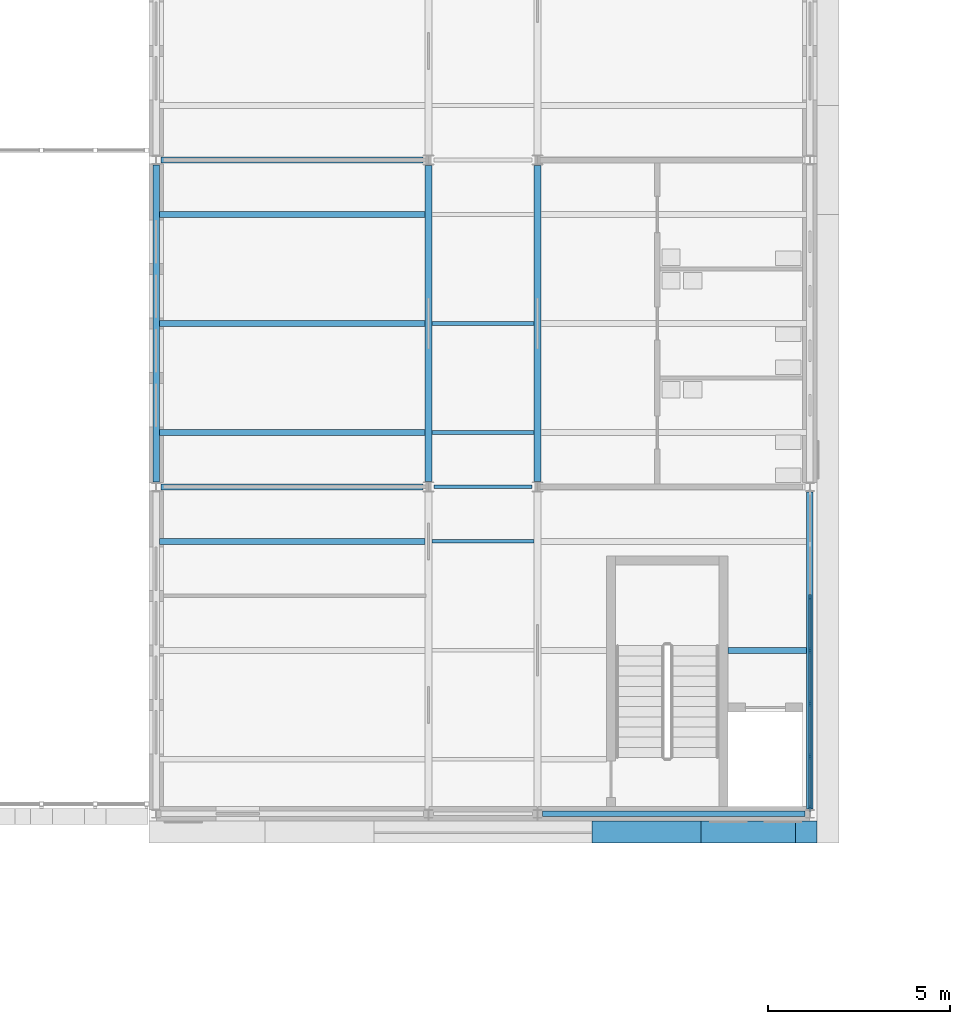
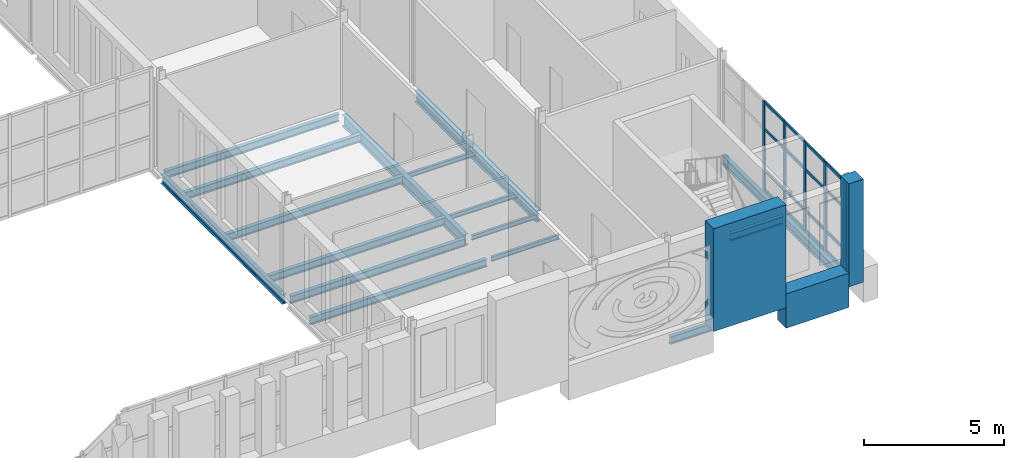
# One storey, part 33 of 131: 23 members, 17 beams, 1 element without a shape of its own.
"""IFC4 building model written with IfcOpenShell, lengths in metres."""

import ifcopenshell
import ifcopenshell.guid

model = None  # the IFC model being written
_history = None  # IfcOwnerHistory: only IFC2X3 demands one
_inside = {}  # id of a spatial element -> (the spatial element, [elements in it])
_under = {}  # id of a project, library or spatial element -> (it, [spatial elements below it])
_declared = {}  # id of a project -> (the project, [libraries it declares])
_typed = {}  # id of a type object -> (the type object, [elements of that type])
_made_of = {}  # id of a material, layer set ... -> (it, [elements and type objects made of it])


def new_model(schema):
    """Start an empty IFC model of exactly this schema.

    Asked for "IFC4X3", IfcOpenShell would pick the latest addendum, in which some entities
    have other attributes; the version numbers below select the first issue.
    IFC2X3 requires an IfcOwnerHistory on every rooted entity: one is made here for all.
    """
    global model, _history
    if schema == "IFC4X3":
        model = ifcopenshell.file(schema_version=(4, 3, 0, 0))
    else:
        model = ifcopenshell.file(schema=schema)
    _inside.clear()
    _under.clear()
    _declared.clear()
    _typed.clear()
    _made_of.clear()
    _history = None
    if model.schema == "IFC2X3":
        org = make("IfcOrganization", Name="unknown")
        user = make(
            "IfcPersonAndOrganization",
            ThePerson=make("IfcPerson", FamilyName="unknown"),
            TheOrganization=org,
        )
        app = make(
            "IfcApplication",
            ApplicationDeveloper=org,
            Version="unknown",
            ApplicationFullName="unknown",
            ApplicationIdentifier="unknown",
        )
        _history = make(
            "IfcOwnerHistory",
            OwningUser=user,
            OwningApplication=app,
            ChangeAction="ADDED",
            CreationDate=0,
        )
    return model


def make(cls, **values):
    """One entity of the class cls with the attributes given. An attribute that is None is left unset."""
    return model.create_entity(
        cls, **{name: value for name, value in values.items() if value is not None}
    )


def rooted(cls, **values):
    """An entity with a GlobalId (a new one), such as an element, a storey or a relation."""
    return make(cls, GlobalId=ifcopenshell.guid.new(), OwnerHistory=_history, **values)


def si_unit(unit_type, name, prefix=None):
    """IfcSIUnit, for example si_unit("LENGTHUNIT", "METRE", prefix="MILLI")."""
    return make("IfcSIUnit", UnitType=unit_type, Prefix=prefix, Name=name)


def assignment(units):
    """IfcUnitAssignment: the units of a project."""
    return None if units is None else make("IfcUnitAssignment", Units=units)


def point(xyz):
    """IfcCartesianPoint."""
    return None if xyz is None else make("IfcCartesianPoint", Coordinates=xyz)


def direction(xyz):
    """IfcDirection."""
    return None if xyz is None else make("IfcDirection", DirectionRatios=xyz)


def frame(location, z_axis=None, x_axis=None):
    """IfcAxis2Placement3D, a coordinate frame: its origin and axes. An axis left out is left unset."""
    return make(
        "IfcAxis2Placement3D",
        Location=point(location),
        Axis=direction(z_axis),
        RefDirection=direction(x_axis),
    )


def frame_2d(location, x_axis=None):
    """IfcAxis2Placement2D, a coordinate frame in the plane: its origin and x axis."""
    return make(
        "IfcAxis2Placement2D", Location=point(location), RefDirection=direction(x_axis)
    )


def origin():
    """The frame at (0, 0, 0) with its axes left unset."""
    return frame((0.0, 0.0, 0.0))


def origin_2d():
    """The frame at (0, 0) in the plane with its x axis left unset."""
    return frame_2d((0.0, 0.0))


def place(relative_to, where):
    """IfcLocalPlacement: puts the frame where relative to a parent placement (None: the world)."""
    return make(
        "IfcLocalPlacement", PlacementRelTo=relative_to, RelativePlacement=where
    )


def context(
    kind, dimensions, precision=None, world=None, true_north=None, identifier=None
):
    """IfcGeometricRepresentationContext, for example the 3D "Model" context."""
    return make(
        "IfcGeometricRepresentationContext",
        ContextIdentifier=identifier,
        ContextType=kind,
        CoordinateSpaceDimension=dimensions,
        Precision=precision,
        WorldCoordinateSystem=world,
        TrueNorth=true_north,
    )


def subcontext(parent, identifier, kind, view, scale=None):
    """IfcGeometricRepresentationSubContext, for example "Body" below "Model"."""
    return make(
        "IfcGeometricRepresentationSubContext",
        ContextIdentifier=identifier,
        ContextType=kind,
        ParentContext=parent,
        TargetScale=scale,
        TargetView=view,
    )


def project(units=None, contexts=None):
    """IfcProject with its units and contexts."""
    return rooted(
        "IfcProject",
        Name="project",
        RepresentationContexts=contexts,
        UnitsInContext=assignment(units),
    )


def spatial(cls, under=None, at=None, **own):
    """A site, building, storey or space (cls), placed at a placement, below another one or the project."""
    s = rooted(cls, ObjectPlacement=at, **own)
    if under is not None:
        _under.setdefault(under.id(), (under, []))[1].append(s)
    return s


def profile(cls, at=None, kind="AREA", **sizes):
    """A parametric profile (cls). Its sizes go by their IFC names, for example OverallWidth=200.0."""
    return make(cls, ProfileType=kind, Position=at, **sizes)


def rectangle(**sizes):
    """IfcRectangleProfileDef."""
    return profile("IfcRectangleProfileDef", **sizes)


def i_section(**sizes):
    """IfcIShapeProfileDef."""
    return profile("IfcIShapeProfileDef", **sizes)


def extrude(swept, where, along, depth):
    """IfcExtrudedAreaSolid: the profile swept, set in the frame where, extruded along a direction by depth."""
    return make(
        "IfcExtrudedAreaSolid",
        SweptArea=swept,
        Position=where,
        ExtrudedDirection=direction(along),
        Depth=depth,
    )


def shape(context_of_items, identifier, shape_type, items):
    """IfcShapeRepresentation: the items that make up one representation, for example the "Body"."""
    return make(
        "IfcShapeRepresentation",
        ContextOfItems=context_of_items,
        RepresentationIdentifier=identifier,
        RepresentationType=shape_type,
        Items=items,
    )


def material(Name=None, Category=None):
    """IfcMaterial."""
    return make("IfcMaterial", Name=Name, Category=Category)


def layer(
    of_material, thickness, ventilated=None, Name=None, Category=None, Priority=None
):
    """IfcMaterialLayer: one layer of a wall or slab, of a material (None: an air gap)."""
    return make(
        "IfcMaterialLayer",
        Material=of_material,
        LayerThickness=thickness,
        IsVentilated=ventilated,
        Name=Name,
        Category=Category,
        Priority=Priority,
    )


def layer_set(layers, Name=None):
    """IfcMaterialLayerSet."""
    return make("IfcMaterialLayerSet", MaterialLayers=layers, LayerSetName=Name)


def material_profile(
    of_material, cross_section, Name=None, Category=None, Priority=None
):
    """IfcMaterialProfile: a cross section and its material."""
    return make(
        "IfcMaterialProfile",
        Name=Name,
        Material=of_material,
        Profile=cross_section,
        Priority=Priority,
        Category=Category,
    )


def profile_set(profiles, Name=None, composite=None):
    """IfcMaterialProfileSet."""
    return make(
        "IfcMaterialProfileSet",
        Name=Name,
        MaterialProfiles=profiles,
        CompositeProfile=composite,
    )


def made_of(thing, what):
    """Note that an element or type object is made of a material, layer set ...; save() writes the relation."""
    if what is not None:
        _made_of.setdefault(what.id(), (what, []))[1].append(thing)
    return thing


def type_object(cls, material=None, **own):
    """A type object (cls), such as IfcWallType, which elements share."""
    return made_of(rooted(cls, **own), material)


def element(
    cls,
    number,
    at=None,
    inside=None,
    cuts=None,
    type_object=None,
    material=None,
    context=None,
    identifier="Body",
    shape_type=None,
    held_by="IfcProductDefinitionShape",
    body=None,
    shapes=None,
    **own,
):
    """One element of the class cls, such as IfcWall. Its Tag is "e" and its number.

    at: its placement. inside: the storey or other place that contains it. cuts: it is an
    opening in that element (IfcRelVoidsElement). A single representation is given by context,
    identifier, shape_type and body (its items); several are given by shapes. held_by: the class
    of the entity that holds the representations. save() writes the other relations.
    """
    e = rooted(cls, Tag="e%d" % number, ObjectPlacement=at, **own)
    if body is not None:
        shapes = [shape(context, identifier, shape_type, body)]
    if shapes is not None:
        e.Representation = make(held_by, Representations=shapes)
    if inside is not None:
        _inside.setdefault(inside.id(), (inside, []))[1].append(e)
    if cuts is not None:
        rooted(
            "IfcRelVoidsElement", RelatingBuildingElement=cuts, RelatedOpeningElement=e
        )
    if type_object is not None:
        _typed.setdefault(type_object.id(), (type_object, []))[1].append(e)
    return made_of(e, material)


def aggregate(whole, parts):
    """IfcRelAggregates: a whole, such as a stair, and the parts it consists of."""
    return rooted("IfcRelAggregates", RelatingObject=whole, RelatedObjects=parts)


def save(model, path):
    """Write the relations noted so far, then the file.

    IfcRelAggregates (storeys below a building ...), IfcRelContainedInSpatialStructure (elements
    in a storey), IfcRelDefinesByType, IfcRelAssociatesMaterial and IfcRelDeclares: one each for
    every whole, place, type object, material and project.
    """
    for whole, parts in _under.values():
        aggregate(whole, parts)
    for where, things in _inside.values():
        rooted(
            "IfcRelContainedInSpatialStructure",
            RelatedElements=things,
            RelatingStructure=where,
        )
    for kind, things in _typed.values():
        rooted("IfcRelDefinesByType", RelatedObjects=things, RelatingType=kind)
    for what, things in _made_of.values():
        rooted("IfcRelAssociatesMaterial", RelatedObjects=things, RelatingMaterial=what)
    for by, libraries in _declared.values():
        rooted("IfcRelDeclares", RelatingContext=by, RelatedDefinitions=libraries)
    model.write(path)


model = new_model("IFC4")

# Units and contexts
model_context = context("Model", 3, precision=1e-05, world=origin(), true_north=direction((0.0, 1.0)))
body_context = subcontext(model_context, "Body", "Model", "MODEL_VIEW")
ifc_project = project(units=[si_unit("LENGTHUNIT", "METRE"), si_unit("AREAUNIT", "SQUARE_METRE"), si_unit("VOLUMEUNIT", "CUBIC_METRE"), si_unit("PLANEANGLEUNIT", "RADIAN"), si_unit("MASSUNIT", "GRAM", prefix="KILO")], contexts=[model_context])

# Site, building, storey
site_placement = place(None, origin())
site = spatial("IfcSite", under=ifc_project, at=site_placement, CompositionType="ELEMENT")
building_placement = place(site_placement, origin())
building = spatial("IfcBuilding", under=site, at=building_placement, Name="Golden Quay Civic Hall", CompositionType="ELEMENT")
storey_placement = place(building_placement, frame((0.0, 0.0, 9.89990234375)))
storey = spatial("IfcBuildingStorey", under=building, at=storey_placement, Name="L02", CompositionType="ELEMENT", Elevation=9.89990234375)

# Curtain wall, members
ifc_material_1 = material(Name="Glass, laminated double glazed", Category="glass")
ifc_layer = layer(ifc_material_1, 0.199951171875)
ifc_layer_set = layer_set([ifc_layer], Name="Glazed core strip curtain wall")
curtain_wall_type = type_object("IfcCurtainWallType", Name="Glazed core strip curtain wall", PredefinedType="NOTDEFINED", material=ifc_layer_set)
curtain_wall_placement = place(storey_placement, origin())
curtain_wall = element("IfcCurtainWall", 1, at=curtain_wall_placement, inside=storey, type_object=curtain_wall_type, Name="Glazed core strip curtain wall L02 4", PredefinedType="NOTDEFINED")
ifc_material_2 = material(Name="Aluminium, anodised", Category="aluminium")
ifc_material_profile_1 = material_profile(ifc_material_2, rectangle(XDim=0.06005859375, YDim=0.159912109375, at=origin_2d()), Name="Aluminium 60 x 160")
ifc_profile_set_1 = profile_set([ifc_material_profile_1], Name="Aluminium, anodised")
member_type_1 = type_object("IfcMemberType", Name="Aluminium mullion 60 x 160", PredefinedType="MULLION", material=ifc_profile_set_1)
member_1_placement = place(storey_placement, frame((117.0, 5.961669921875, 0.0), z_axis=(0.0, 0.0, 1.0), x_axis=(1.0, 0.0, 0.0)))
member_1 = element("IfcMember", 2, at=member_1_placement, type_object=member_type_1, Name="CW2 mullion 3", PredefinedType="MULLION", context=body_context, shape_type="SweptSolid", body=[
    extrude(rectangle(XDim=0.06005859375, YDim=0.159912109375, at=origin_2d()), origin(), (0.0, 0.0, 1.0), 3.900146484375),
])
member_2_placement = place(storey_placement, frame((117.0, 4.5, 0.0), z_axis=(0.0, 0.0, 1.0), x_axis=(1.0, 0.0, 0.0)))
member_2 = element("IfcMember", 3, at=member_2_placement, type_object=member_type_1, Name="CW2 mullion 4", PredefinedType="MULLION", context=body_context, shape_type="SweptSolid", body=[
    extrude(rectangle(XDim=0.06005859375, YDim=0.159912109375, at=origin_2d()), origin(), (0.0, 0.0, 1.0), 3.900146484375),
])
member_3_placement = place(storey_placement, frame((117.0, 3.038330078125, 0.0), z_axis=(0.0, 0.0, 1.0), x_axis=(1.0, 0.0, 0.0)))
member_3 = element("IfcMember", 4, at=member_3_placement, type_object=member_type_1, Name="CW2 mullion 5", PredefinedType="MULLION", context=body_context, shape_type="SweptSolid", body=[
    extrude(rectangle(XDim=0.06005859375, YDim=0.159912109375, at=origin_2d()), origin(), (0.0, 0.0, 1.0), 3.900146484375),
])
member_4_placement = place(storey_placement, frame((117.0, 1.57666015625, 0.0), z_axis=(0.0, 0.0, 1.0), x_axis=(1.0, 0.0, 0.0)))
member_4 = element("IfcMember", 5, at=member_4_placement, type_object=member_type_1, Name="CW2 mullion 6", PredefinedType="MULLION", context=body_context, shape_type="SweptSolid", body=[
    extrude(rectangle(XDim=0.06005859375, YDim=0.159912109375, at=origin_2d()), origin(), (0.0, 0.0, 1.0), 3.900146484375),
])
member_5_placement = place(storey_placement, frame((117.0, 0.14501953125, 0.0), z_axis=(0.0, 0.0, 1.0), x_axis=(1.0, 0.0, 0.0)))
member_5 = element("IfcMember", 6, at=member_5_placement, type_object=member_type_1, Name="CW2 mullion 7", PredefinedType="MULLION", context=body_context, shape_type="SweptSolid", body=[
    extrude(rectangle(XDim=0.06005859375, YDim=0.159912109375, at=origin_2d()), origin(), (0.0, 0.0, 1.0), 3.900146484375),
])
ifc_material_3 = material(Name="Aluminium, anodised", Category="aluminium")
ifc_material_profile_2 = material_profile(ifc_material_3, rectangle(XDim=0.06005859375, YDim=0.1201171875, at=origin_2d()), Name="Aluminium 60 x 120")
ifc_profile_set_2 = profile_set([ifc_material_profile_2], Name="Aluminium, anodised")
member_type_2 = type_object("IfcMemberType", Name="Aluminium transom 60 x 120", PredefinedType="USERDEFINED", material=ifc_profile_set_2)
member_6_placement = place(storey_placement, frame((117.0, 5.931640625, 0.030029296875), z_axis=(0.0, -1.0, 0.0), x_axis=(1.0, 0.0, 0.0)))
member_6 = element("IfcMember", 7, at=member_6_placement, type_object=member_type_2, Name="CW2 transom 3.1", ObjectType="TRANSOM", PredefinedType="USERDEFINED", context=body_context, shape_type="SweptSolid", body=[
    extrude(rectangle(XDim=0.06005859375, YDim=0.1201171875, at=origin_2d()), origin(), (0.0, 0.0, 1.0), 1.401611328125),
])
member_7_placement = place(storey_placement, frame((117.0, 5.931640625, 0.900146484375), z_axis=(0.0, -1.0, 0.0), x_axis=(1.0, 0.0, 0.0)))
member_7 = element("IfcMember", 8, at=member_7_placement, type_object=member_type_2, Name="CW2 transom 3.2", ObjectType="TRANSOM", PredefinedType="USERDEFINED", context=body_context, shape_type="SweptSolid", body=[
    extrude(rectangle(XDim=0.06005859375, YDim=0.1201171875, at=origin_2d()), origin(), (0.0, 0.0, 1.0), 1.401611328125),
])
member_8_placement = place(storey_placement, frame((117.0, 5.931640625, 2.7001953125), z_axis=(0.0, -1.0, 0.0), x_axis=(1.0, 0.0, 0.0)))
member_8 = element("IfcMember", 9, at=member_8_placement, type_object=member_type_2, Name="CW2 transom 3.3", ObjectType="TRANSOM", PredefinedType="USERDEFINED", context=body_context, shape_type="SweptSolid", body=[
    extrude(rectangle(XDim=0.06005859375, YDim=0.1201171875, at=origin_2d()), origin(), (0.0, 0.0, 1.0), 1.401611328125),
])
member_9_placement = place(storey_placement, frame((117.0, 5.931640625, 3.8701171875), z_axis=(0.0, -1.0, 0.0), x_axis=(1.0, 0.0, 0.0)))
member_9 = element("IfcMember", 10, at=member_9_placement, type_object=member_type_2, Name="CW2 transom 3.4", ObjectType="TRANSOM", PredefinedType="USERDEFINED", context=body_context, shape_type="SweptSolid", body=[
    extrude(rectangle(XDim=0.06005859375, YDim=0.1201171875, at=origin_2d()), origin(), (0.0, 0.0, 1.0), 1.401611328125),
])
member_10_placement = place(storey_placement, frame((117.0, 4.469970703125, 0.030029296875), z_axis=(0.0, -1.0, 0.0), x_axis=(1.0, 0.0, 0.0)))
member_10 = element("IfcMember", 11, at=member_10_placement, type_object=member_type_2, Name="CW2 transom 4.1", ObjectType="TRANSOM", PredefinedType="USERDEFINED", context=body_context, shape_type="SweptSolid", body=[
    extrude(rectangle(XDim=0.06005859375, YDim=0.1201171875, at=origin_2d()), origin(), (0.0, 0.0, 1.0), 1.401611328125),
])
member_11_placement = place(storey_placement, frame((117.0, 4.469970703125, 0.900146484375), z_axis=(0.0, -1.0, 0.0), x_axis=(1.0, 0.0, 0.0)))
member_11 = element("IfcMember", 12, at=member_11_placement, type_object=member_type_2, Name="CW2 transom 4.2", ObjectType="TRANSOM", PredefinedType="USERDEFINED", context=body_context, shape_type="SweptSolid", body=[
    extrude(rectangle(XDim=0.06005859375, YDim=0.1201171875, at=origin_2d()), origin(), (0.0, 0.0, 1.0), 1.401611328125),
])
member_12_placement = place(storey_placement, frame((117.0, 4.469970703125, 2.7001953125), z_axis=(0.0, -1.0, 0.0), x_axis=(1.0, 0.0, 0.0)))
member_12 = element("IfcMember", 13, at=member_12_placement, type_object=member_type_2, Name="CW2 transom 4.3", ObjectType="TRANSOM", PredefinedType="USERDEFINED", context=body_context, shape_type="SweptSolid", body=[
    extrude(rectangle(XDim=0.06005859375, YDim=0.1201171875, at=origin_2d()), origin(), (0.0, 0.0, 1.0), 1.401611328125),
])
member_13_placement = place(storey_placement, frame((117.0, 4.469970703125, 3.8701171875), z_axis=(0.0, -1.0, 0.0), x_axis=(1.0, 0.0, 0.0)))
member_13 = element("IfcMember", 14, at=member_13_placement, type_object=member_type_2, Name="CW2 transom 4.4", ObjectType="TRANSOM", PredefinedType="USERDEFINED", context=body_context, shape_type="SweptSolid", body=[
    extrude(rectangle(XDim=0.06005859375, YDim=0.1201171875, at=origin_2d()), origin(), (0.0, 0.0, 1.0), 1.401611328125),
])
member_14_placement = place(storey_placement, frame((117.0, 3.00830078125, 0.030029296875), z_axis=(0.0, -1.0, 0.0), x_axis=(1.0, 0.0, 0.0)))
member_14 = element("IfcMember", 15, at=member_14_placement, type_object=member_type_2, Name="CW2 transom 5.1", ObjectType="TRANSOM", PredefinedType="USERDEFINED", context=body_context, shape_type="SweptSolid", body=[
    extrude(rectangle(XDim=0.06005859375, YDim=0.1201171875, at=origin_2d()), origin(), (0.0, 0.0, 1.0), 1.401611328125),
])
member_15_placement = place(storey_placement, frame((117.0, 3.00830078125, 0.900146484375), z_axis=(0.0, -1.0, 0.0), x_axis=(1.0, 0.0, 0.0)))
member_15 = element("IfcMember", 16, at=member_15_placement, type_object=member_type_2, Name="CW2 transom 5.2", ObjectType="TRANSOM", PredefinedType="USERDEFINED", context=body_context, shape_type="SweptSolid", body=[
    extrude(rectangle(XDim=0.06005859375, YDim=0.1201171875, at=origin_2d()), origin(), (0.0, 0.0, 1.0), 1.401611328125),
])
member_16_placement = place(storey_placement, frame((117.0, 3.00830078125, 2.7001953125), z_axis=(0.0, -1.0, 0.0), x_axis=(1.0, 0.0, 0.0)))
member_16 = element("IfcMember", 17, at=member_16_placement, type_object=member_type_2, Name="CW2 transom 5.3", ObjectType="TRANSOM", PredefinedType="USERDEFINED", context=body_context, shape_type="SweptSolid", body=[
    extrude(rectangle(XDim=0.06005859375, YDim=0.1201171875, at=origin_2d()), origin(), (0.0, 0.0, 1.0), 1.401611328125),
])
member_17_placement = place(storey_placement, frame((117.0, 3.00830078125, 3.8701171875), z_axis=(0.0, -1.0, 0.0), x_axis=(1.0, 0.0, 0.0)))
member_17 = element("IfcMember", 18, at=member_17_placement, type_object=member_type_2, Name="CW2 transom 5.4", ObjectType="TRANSOM", PredefinedType="USERDEFINED", context=body_context, shape_type="SweptSolid", body=[
    extrude(rectangle(XDim=0.06005859375, YDim=0.1201171875, at=origin_2d()), origin(), (0.0, 0.0, 1.0), 1.401611328125),
])
member_18_placement = place(storey_placement, frame((117.0, 1.546630859375, 0.030029296875), z_axis=(0.0, -1.0, 0.0), x_axis=(1.0, 0.0, 0.0)))
member_18 = element("IfcMember", 19, at=member_18_placement, type_object=member_type_2, Name="CW2 transom 6.1", ObjectType="TRANSOM", PredefinedType="USERDEFINED", context=body_context, shape_type="SweptSolid", body=[
    extrude(rectangle(XDim=0.06005859375, YDim=0.1201171875, at=origin_2d()), origin(), (0.0, 0.0, 1.0), 1.37158203125),
])
member_19_placement = place(storey_placement, frame((117.0, 1.546630859375, 0.900146484375), z_axis=(0.0, -1.0, 0.0), x_axis=(1.0, 0.0, 0.0)))
member_19 = element("IfcMember", 20, at=member_19_placement, type_object=member_type_2, Name="CW2 transom 6.2", ObjectType="TRANSOM", PredefinedType="USERDEFINED", context=body_context, shape_type="SweptSolid", body=[
    extrude(rectangle(XDim=0.06005859375, YDim=0.1201171875, at=origin_2d()), origin(), (0.0, 0.0, 1.0), 1.37158203125),
])
member_20_placement = place(storey_placement, frame((117.0, 1.546630859375, 2.7001953125), z_axis=(0.0, -1.0, 0.0), x_axis=(1.0, 0.0, 0.0)))
member_20 = element("IfcMember", 21, at=member_20_placement, type_object=member_type_2, Name="CW2 transom 6.3", ObjectType="TRANSOM", PredefinedType="USERDEFINED", context=body_context, shape_type="SweptSolid", body=[
    extrude(rectangle(XDim=0.06005859375, YDim=0.1201171875, at=origin_2d()), origin(), (0.0, 0.0, 1.0), 1.37158203125),
])
member_21_placement = place(storey_placement, frame((117.0, 1.546630859375, 3.8701171875), z_axis=(0.0, -1.0, 0.0), x_axis=(1.0, 0.0, 0.0)))
member_21 = element("IfcMember", 22, at=member_21_placement, type_object=member_type_2, Name="CW2 transom 6.4", ObjectType="TRANSOM", PredefinedType="USERDEFINED", context=body_context, shape_type="SweptSolid", body=[
    extrude(rectangle(XDim=0.06005859375, YDim=0.1201171875, at=origin_2d()), origin(), (0.0, 0.0, 1.0), 1.37158203125),
])
aggregate(curtain_wall, [member_1, member_2, member_3, member_4, member_5, member_6, member_7, member_8, member_9, member_10, member_11, member_12, member_13, member_14, member_15, member_16, member_17, member_18, member_19, member_20, member_21])

# Members
ifc_material_4 = material(Name="Concrete C40/50", Category="concrete")
ifc_material_profile_3 = material_profile(ifc_material_4, rectangle(XDim=3.0, YDim=0.60009765625, at=origin_2d()), Name="RC 3000x600")
ifc_profile_set_3 = profile_set([ifc_material_profile_3], Name="Concrete C40/50")
member_type_3 = type_object("IfcMemberType", Name="Precast concrete facade pier 3000 x 600", PredefinedType="POST", material=ifc_profile_set_3)
member_22_placement = place(storey_placement, frame((112.5, -0.5, 0.0), z_axis=(0.0, 0.0, 1.0), x_axis=(1.0, 0.0, 0.0)))
element("IfcMember", 23, at=member_22_placement, inside=storey, type_object=member_type_3, Name="Precast concrete facade pier 3000 x 600 L02 34", PredefinedType="POST", context=body_context, shape_type="SweptSolid", body=[
    extrude(rectangle(XDim=3.0, YDim=0.60009765625, at=origin_2d()), origin(), (0.0, 0.0, 1.0), 4.5),
])
ifc_material_5 = material(Name="Concrete C40/50", Category="concrete")
ifc_material_profile_4 = material_profile(ifc_material_5, rectangle(XDim=0.60009765625, YDim=0.60009765625, at=origin_2d()), Name="RC 600x600")
ifc_profile_set_4 = profile_set([ifc_material_profile_4], Name="Concrete C40/50")
member_type_4 = type_object("IfcMemberType", Name="Precast concrete facade post 600 x 600", PredefinedType="POST", material=ifc_profile_set_4)
member_23_placement = place(storey_placement, frame((116.89990234375, -0.5, 0.0), z_axis=(0.0, 0.0, 1.0), x_axis=(1.0, 0.0, 0.0)))
element("IfcMember", 24, at=member_23_placement, inside=storey, type_object=member_type_4, Name="Precast concrete facade post 600 x 600 L02 13", PredefinedType="POST", context=body_context, shape_type="SweptSolid", body=[
    extrude(rectangle(XDim=0.60009765625, YDim=0.60009765625, at=origin_2d()), origin(), (0.0, 0.0, 1.0), 4.5),
])

# Beams
ifc_material_6 = material(Name="Concrete C40/50", Category="concrete")
ifc_material_profile_5 = material_profile(ifc_material_6, rectangle(XDim=0.60009765625, YDim=1.5, at=origin_2d()), Name="RC 600x1500")
ifc_profile_set_5 = profile_set([ifc_material_profile_5], Name="Concrete C40/50")
beam_type_1 = type_object("IfcBeamType", Name="Precast concrete spandrel beam 600 x 1500", PredefinedType="SPANDREL", material=ifc_profile_set_5)
beam_1_placement = place(storey_placement, frame((114.0, -0.5, -0.14990234375), z_axis=(1.0, 0.0, 0.0), x_axis=(0.0, 1.0, 0.0)))
element("IfcBeam", 25, at=beam_1_placement, inside=storey, type_object=beam_type_1, Name="Precast concrete spandrel beam 600 x 1500 L02 29", PredefinedType="SPANDREL", context=body_context, shape_type="SweptSolid", body=[
    extrude(rectangle(XDim=0.60009765625, YDim=1.5, at=origin_2d()), origin(), (0.0, 0.0, 1.0), 2.60009765625),
])
ifc_material_7 = material(Name="Steel S355", Category="steel")
ifc_material_profile_6 = material_profile(ifc_material_7, i_section(OverallWidth=0.10009765625, OverallDepth=0.199951171875, WebThickness=0.005615234375, FlangeThickness=0.008544921875, FilletRadius=0.011962890625, at=origin_2d()), Name="IPE 200")
ifc_profile_set_6 = profile_set([ifc_material_profile_6], Name="Steel S355")
beam_type_2 = type_object("IfcBeamType", Name="Steel beam IPE 200", PredefinedType="BEAM", material=ifc_profile_set_6)
beam_2_placement = place(storey_placement, frame((106.64990234375, 9.0, -0.2998046875), z_axis=(1.0, 0.0, 0.0), x_axis=(0.0, 1.0, 0.0)))
element("IfcBeam", 26, at=beam_2_placement, inside=storey, type_object=beam_type_2, Name="Beam S9-106.5", PredefinedType="BEAM", context=body_context, shape_type="SweptSolid", body=[
    extrude(i_section(OverallWidth=0.10009765625, OverallDepth=0.199951171875, WebThickness=0.005615234375, FlangeThickness=0.008544921875, FilletRadius=0.011962890625, at=origin_2d()), origin(), (0.0, 0.0, 1.0), 2.7001953125),
])
ifc_material_8 = material(Name="Steel S355", Category="steel")
ifc_material_profile_7 = material_profile(ifc_material_8, i_section(OverallWidth=0.159912109375, OverallDepth=0.330078125, WebThickness=0.007568359375, FlangeThickness=0.011474609375, FilletRadius=0.01806640625, at=origin_2d()), Name="IPE 330")
ifc_profile_set_7 = profile_set([ifc_material_profile_7], Name="Steel S355")
beam_type_3 = type_object("IfcBeamType", Name="Steel beam IPE 330", PredefinedType="BEAM", material=ifc_profile_set_7)
beam_3_placement = place(storey_placement, frame((109.639892578125, 0.0, -0.364990234375), z_axis=(1.0, 0.0, 0.0), x_axis=(0.0, 1.0, 0.0)))
element("IfcBeam", 27, at=beam_3_placement, inside=storey, type_object=beam_type_3, Name="Beam S0-109.5", PredefinedType="BEAM", context=body_context, shape_type="SweptSolid", body=[
    extrude(i_section(OverallWidth=0.159912109375, OverallDepth=0.330078125, WebThickness=0.007568359375, FlangeThickness=0.011474609375, FilletRadius=0.01806640625, at=origin_2d()), origin(), (0.0, 0.0, 1.0), 7.22021484375),
])
for number, where, z_axis, x_axis, name in (
    (28, (99.139892578125, 9.0, -0.364990234375), (1.0, 0.0, 0.0), (0.0, 1.0, 0.0), "Beam S9-99"),
    (29, (99.139892578125, 18.0, -0.364990234375), (1.0, 0.0, 0.0), (0.0, 1.0, 0.0), "Beam S18-99"),
):
    element("IfcBeam", number, at=place(storey_placement, frame(where, z_axis=z_axis, x_axis=x_axis)), inside=storey, type_object=beam_type_3, Name=name, PredefinedType="BEAM", context=body_context, shape_type="SweptSolid", body=[
        extrude(i_section(OverallWidth=0.159912109375, OverallDepth=0.330078125, WebThickness=0.007568359375, FlangeThickness=0.011474609375, FilletRadius=0.01806640625, at=origin_2d()), origin(), (0.0, 0.0, 1.0), 7.210205078125),
    ])
ifc_material_9 = material(Name="Steel S355", Category="steel")
ifc_material_profile_8 = material_profile(ifc_material_9, i_section(OverallWidth=0.179931640625, OverallDepth=0.39990234375, WebThickness=0.008544921875, FlangeThickness=0.013427734375, FilletRadius=0.02099609375, at=origin_2d()), Name="IPE 400")
ifc_profile_set_8 = profile_set([ifc_material_profile_8], Name="Steel S355")
beam_type_4 = type_object("IfcBeamType", Name="Steel beam IPE 400", PredefinedType="BEAM", material=ifc_profile_set_8)
for number, where, z_axis, x_axis, name in (
    (30, (99.0, 9.135009765625, -0.39990234375), (0.0, 1.0, 0.0), (-1.0, 0.0, 0.0), "Beam L99-9"),
    (31, (117.0, 0.135009765625, -0.39990234375), (0.0, 1.0, 0.0), (-1.0, 0.0, 0.0), "Beam L117-0"),
):
    element("IfcBeam", number, at=place(storey_placement, frame(where, z_axis=z_axis, x_axis=x_axis)), inside=storey, type_object=beam_type_4, Name=name, PredefinedType="BEAM", context=body_context, shape_type="SweptSolid", body=[
        extrude(i_section(OverallWidth=0.179931640625, OverallDepth=0.39990234375, WebThickness=0.008544921875, FlangeThickness=0.013427734375, FilletRadius=0.02099609375, at=origin_2d()), origin(), (0.0, 0.0, 1.0), 8.72998046875),
    ])
ifc_material_10 = material(Name="Steel S355", Category="steel")
ifc_material_profile_9 = material_profile(ifc_material_10, i_section(OverallWidth=0.199951171875, OverallDepth=0.5, WebThickness=0.01025390625, FlangeThickness=0.01611328125, FilletRadius=0.02099609375, at=origin_2d()), Name="IPE 500")
ifc_profile_set_9 = profile_set([ifc_material_profile_9], Name="Steel S355")
beam_type_5 = type_object("IfcBeamType", Name="Steel beam IPE 500", PredefinedType="BEAM", material=ifc_profile_set_9)
for number, where, z_axis, x_axis, name in (
    (32, (106.5, 9.14501953125, -0.449951171875), (0.0, 1.0, 0.0), (-1.0, 0.0, 0.0), "Beam L106.5-9"),
    (33, (109.5, 9.14501953125, -0.449951171875), (0.0, 1.0, 0.0), (-1.0, 0.0, 0.0), "Beam L109.5-9"),
):
    element("IfcBeam", number, at=place(storey_placement, frame(where, z_axis=z_axis, x_axis=x_axis)), inside=storey, type_object=beam_type_5, Name=name, PredefinedType="BEAM", context=body_context, shape_type="SweptSolid", body=[
        extrude(i_section(OverallWidth=0.199951171875, OverallDepth=0.5, WebThickness=0.01025390625, FlangeThickness=0.01611328125, FilletRadius=0.02099609375, at=origin_2d()), origin(), (0.0, 0.0, 1.0), 8.7099609375),
    ])
ifc_material_11 = material(Name="Steel S355", Category="steel")
ifc_material_profile_10 = material_profile(ifc_material_11, i_section(OverallWidth=0.10009765625, OverallDepth=0.199951171875, WebThickness=0.005615234375, FlangeThickness=0.008544921875, FilletRadius=0.011962890625, at=origin_2d()), Name="IPE 200")
ifc_profile_set_10 = profile_set([ifc_material_profile_10], Name="Steel S355")
beam_type_6 = type_object("IfcBeamType", Name="Steel joist IPE 200", PredefinedType="JOIST", material=ifc_profile_set_10)
for number, where, z_axis, x_axis, name in (
    (34, (106.60009765625, 7.5, -0.2998046875), (1.0, 0.0, 0.0), (0.0, 1.0, 0.0), "Joist J7.5-106.5"),
    (35, (106.60009765625, 10.5, -0.2998046875), (1.0, 0.0, 0.0), (0.0, 1.0, 0.0), "Joist J10.5-106.5"),
    (36, (106.60009765625, 13.5, -0.2998046875), (1.0, 0.0, 0.0), (0.0, 1.0, 0.0), "Joist J13.5-106.5"),
):
    element("IfcBeam", number, at=place(storey_placement, frame(where, z_axis=z_axis, x_axis=x_axis)), inside=storey, type_object=beam_type_6, Name=name, PredefinedType="JOIST", context=body_context, shape_type="SweptSolid", body=[
        extrude(i_section(OverallWidth=0.10009765625, OverallDepth=0.199951171875, WebThickness=0.005615234375, FlangeThickness=0.008544921875, FilletRadius=0.011962890625, at=origin_2d()), origin(), (0.0, 0.0, 1.0), 2.7998046875),
    ])
ifc_material_12 = material(Name="Steel S355", Category="steel")
ifc_material_profile_11 = material_profile(ifc_material_12, i_section(OverallWidth=0.159912109375, OverallDepth=0.330078125, WebThickness=0.007568359375, FlangeThickness=0.011474609375, FilletRadius=0.01806640625, at=origin_2d()), Name="IPE 330")
ifc_profile_set_11 = profile_set([ifc_material_profile_11], Name="Steel S355")
beam_type_7 = type_object("IfcBeamType", Name="Steel joist IPE 330", PredefinedType="JOIST", material=ifc_profile_set_11)
beam_4_placement = place(storey_placement, frame((114.75, 4.5, -0.364990234375), z_axis=(1.0, 0.0, 0.0), x_axis=(0.0, 1.0, 0.0)))
element("IfcBeam", 37, at=beam_4_placement, inside=storey, type_object=beam_type_7, Name="Joist J4.5-109.5-1", PredefinedType="JOIST", context=body_context, shape_type="SweptSolid", body=[
    extrude(i_section(OverallWidth=0.159912109375, OverallDepth=0.330078125, WebThickness=0.007568359375, FlangeThickness=0.011474609375, FilletRadius=0.01806640625, at=origin_2d()), origin(), (0.0, 0.0, 1.0), 2.159912109375),
])
for number, where, z_axis, x_axis, name in (
    (38, (99.090087890625, 7.5, -0.364990234375), (1.0, 0.0, 0.0), (0.0, 1.0, 0.0), "Joist J7.5-99"),
    (39, (99.090087890625, 10.5, -0.364990234375), (1.0, 0.0, 0.0), (0.0, 1.0, 0.0), "Joist J10.5-99"),
    (40, (99.090087890625, 13.5, -0.364990234375), (1.0, 0.0, 0.0), (0.0, 1.0, 0.0), "Joist J13.5-99"),
    (41, (99.090087890625, 16.5, -0.364990234375), (1.0, 0.0, 0.0), (0.0, 1.0, 0.0), "Joist J16.5-99"),
):
    element("IfcBeam", number, at=place(storey_placement, frame(where, z_axis=z_axis, x_axis=x_axis)), inside=storey, type_object=beam_type_7, Name=name, PredefinedType="JOIST", context=body_context, shape_type="SweptSolid", body=[
        extrude(i_section(OverallWidth=0.159912109375, OverallDepth=0.330078125, WebThickness=0.007568359375, FlangeThickness=0.011474609375, FilletRadius=0.01806640625, at=origin_2d()), origin(), (0.0, 0.0, 1.0), 7.309814453125),
    ])

save(model, "model.ifc")
